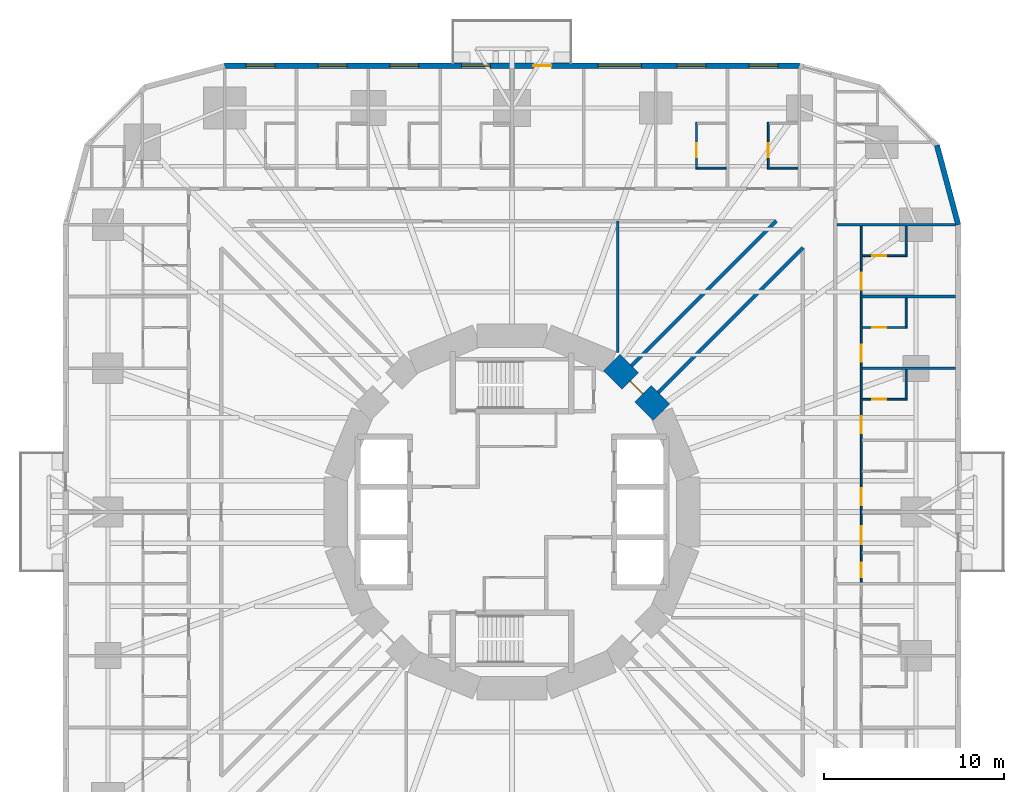
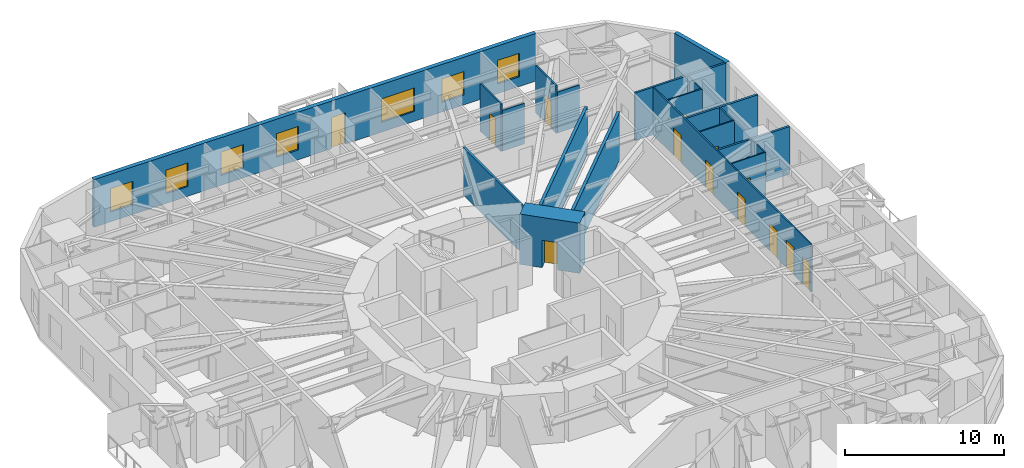
# One storey, part 11 of 14: 20 walls, 13 doors, 7 windows, 20 openings.
"""IFC4 building model written with IfcOpenShell, lengths in metres."""

from ifc_helpers import new_model, si_unit, direction, frame, frame_2d, origin, place, context, subcontext, project, spatial, rectangle, extrude, material, layer, layer_set, type_object, element, fill, save


model = new_model("IFC4")

# Units and contexts
model_context = context("Model", 3, precision=1e-05, world=origin(), true_north=direction((0.0, 1.0)))
body_context = subcontext(model_context, "Body", "Model", "MODEL_VIEW")
ifc_project = project(units=[si_unit("LENGTHUNIT", "METRE"), si_unit("AREAUNIT", "SQUARE_METRE"), si_unit("VOLUMEUNIT", "CUBIC_METRE"), si_unit("PLANEANGLEUNIT", "RADIAN"), si_unit("MASSUNIT", "GRAM", prefix="KILO")], contexts=[model_context])

# Site, building, storey
site_placement = place(None, origin())
site = spatial("IfcSite", under=ifc_project, at=site_placement, CompositionType="ELEMENT")
building_placement = place(site_placement, origin())
building = spatial("IfcBuilding", under=site, at=building_placement, Name="Nakasero Lantern House", CompositionType="ELEMENT")
storey_placement = place(building_placement, frame((0.0, 0.0, 46.800048828125)))
storey = spatial("IfcBuildingStorey", under=building, at=storey_placement, Name="L11", CompositionType="ELEMENT", Elevation=46.800048828125)

# Wall, openings, doors
ifc_material_1 = material(Name="Blockwork", Category="masonry")
ifc_layer_1 = layer(ifc_material_1, 0.10009765625)
ifc_layer_set_1 = layer_set([ifc_layer_1], Name="Cluster hall wall 100")
wall_type_1 = type_object("IfcWallType", Name="Cluster hall wall 100", PredefinedType="PARTITIONING", material=ifc_layer_set_1)
wall_1_placement = place(storey_placement, frame((19.449951171875, -3.925048828125, 0.0), z_axis=(0.0, 0.0, 1.0), x_axis=(0.0, 1.0, 0.0)))
wall_1 = element("IfcWall", 1, at=wall_1_placement, inside=storey, type_object=wall_type_1, Name="Cluster hall wall L11 HW0-1", PredefinedType="PARTITIONING", context=body_context, shape_type="SweptSolid", body=[
    extrude(rectangle(XDim=19.85009765625, YDim=0.10009765625, at=frame_2d((9.925048828125, 0.0))), origin(), (0.0, 0.0, 1.0), 3.64990234375),
])
opening_1_placement = place(wall_1_placement, frame((2.125, 0.0, 0.0)))
opening_1 = element("IfcOpeningElement", 2, at=opening_1_placement, cuts=wall_1, Name="Opening D03", PredefinedType="OPENING", context=body_context, shape_type="SweptSolid", body=[
    extrude(rectangle(XDim=1.0, YDim=2.10009765625, at=frame_2d((0.5, 1.050048828125))), frame((0.0, 0.070068359375, 0.0), z_axis=(0.0, -1.0, 0.0), x_axis=(1.0, 0.0, 0.0)), (0.0, 0.0, 1.0), 0.14013671875),
])
opening_2_placement = place(wall_1_placement, frame((0.300048828125, 0.0, 0.0)))
opening_2 = element("IfcOpeningElement", 3, at=opening_2_placement, cuts=wall_1, Name="Opening D02", PredefinedType="OPENING", context=body_context, shape_type="SweptSolid", body=[
    extrude(rectangle(XDim=0.800048828125, YDim=2.10009765625, at=frame_2d((0.39990234375, 1.050048828125))), frame((0.0, 0.070068359375, 0.0), z_axis=(0.0, -1.0, 0.0), x_axis=(1.0, 0.0, 0.0)), (0.0, 0.0, 1.0), 0.14013671875),
])
opening_3_placement = place(wall_1_placement, frame((4.300048828125, 0.0, 0.0)))
opening_3 = element("IfcOpeningElement", 4, at=opening_3_placement, cuts=wall_1, Name="Opening D01", PredefinedType="OPENING", context=body_context, shape_type="SweptSolid", body=[
    extrude(rectangle(XDim=0.949951171875, YDim=2.10009765625, at=frame_2d((0.47509765625, 1.050048828125))), frame((0.0, 0.070068359375, 0.0), z_axis=(0.0, -1.0, 0.0), x_axis=(1.0, 0.0, 0.0)), (0.0, 0.0, 1.0), 0.14013671875),
])
opening_4_placement = place(wall_1_placement, frame((8.300048828125, 0.0, 0.0)))
opening_4 = element("IfcOpeningElement", 5, at=opening_4_placement, cuts=wall_1, Name="Opening D01", PredefinedType="OPENING", context=body_context, shape_type="SweptSolid", body=[
    extrude(rectangle(XDim=0.949951171875, YDim=2.10009765625, at=frame_2d((0.47509765625, 1.050048828125))), frame((0.0, 0.070068359375, 0.0), z_axis=(0.0, -1.0, 0.0), x_axis=(1.0, 0.0, 0.0)), (0.0, 0.0, 1.0), 0.14013671875),
])
opening_5_placement = place(wall_1_placement, frame((12.300048828125, 0.0, 0.0)))
opening_5 = element("IfcOpeningElement", 6, at=opening_5_placement, cuts=wall_1, Name="Opening D01", PredefinedType="OPENING", context=body_context, shape_type="SweptSolid", body=[
    extrude(rectangle(XDim=0.949951171875, YDim=2.10009765625, at=frame_2d((0.47509765625, 1.050048828125))), frame((0.0, 0.070068359375, 0.0), z_axis=(0.0, -1.0, 0.0), x_axis=(1.0, 0.0, 0.0)), (0.0, 0.0, 1.0), 0.14013671875),
])
opening_6_placement = place(wall_1_placement, frame((16.300048828125, 0.0, 0.0)))
opening_6 = element("IfcOpeningElement", 7, at=opening_6_placement, cuts=wall_1, Name="Opening D01", PredefinedType="OPENING", context=body_context, shape_type="SweptSolid", body=[
    extrude(rectangle(XDim=0.949951171875, YDim=2.10009765625, at=frame_2d((0.47509765625, 1.050048828125))), frame((0.0, 0.070068359375, 0.0), z_axis=(0.0, -1.0, 0.0), x_axis=(1.0, 0.0, 0.0)), (0.0, 0.0, 1.0), 0.14013671875),
])
ifc_material_2 = material(Name="Timber C24", Category="wood")
door_type_1 = type_object("IfcDoorType", Name="Bedroom door FD30S 950", OperationType="SINGLE_SWING_LEFT", PredefinedType="DOOR", material=ifc_material_2)
door_1_placement = place(opening_3_placement, origin())
door_1 = element("IfcDoor", 8, at=door_1_placement, inside=storey, type_object=door_type_1, Name="Door L11 D0-05", OperationType="SINGLE_SWING_LEFT", OverallHeight=2.10009765625, OverallWidth=0.949951171875, PredefinedType="DOOR", context=body_context, shape_type="SweptSolid", body=[
    extrude(rectangle(XDim=0.949951171875, YDim=2.10009765625, at=frame_2d((0.47509765625, 1.050048828125))), frame((0.0, 0.02490234375, 0.0), z_axis=(0.0, -1.0, 0.0), x_axis=(1.0, 0.0, 0.0)), (0.0, 0.0, 1.0), 0.050048828125),
])
fill(opening_3, door_1)
door_2_placement = place(opening_4_placement, origin())
door_2 = element("IfcDoor", 9, at=door_2_placement, inside=storey, type_object=door_type_1, Name="Door L11 D0-06", OperationType="SINGLE_SWING_LEFT", OverallHeight=2.10009765625, OverallWidth=0.949951171875, PredefinedType="DOOR", context=body_context, shape_type="SweptSolid", body=[
    extrude(rectangle(XDim=0.949951171875, YDim=2.10009765625, at=frame_2d((0.47509765625, 1.050048828125))), frame((0.0, 0.02490234375, 0.0), z_axis=(0.0, -1.0, 0.0), x_axis=(1.0, 0.0, 0.0)), (0.0, 0.0, 1.0), 0.050048828125),
])
fill(opening_4, door_2)
door_3_placement = place(opening_5_placement, origin())
door_3 = element("IfcDoor", 10, at=door_3_placement, inside=storey, type_object=door_type_1, Name="Door L11 D0-07", OperationType="SINGLE_SWING_RIGHT", OverallHeight=2.10009765625, OverallWidth=0.949951171875, PredefinedType="DOOR", context=body_context, shape_type="SweptSolid", body=[
    extrude(rectangle(XDim=0.949951171875, YDim=2.10009765625, at=frame_2d((0.47509765625, 1.050048828125))), frame((0.0, 0.02490234375, 0.0), z_axis=(0.0, -1.0, 0.0), x_axis=(1.0, 0.0, 0.0)), (0.0, 0.0, 1.0), 0.050048828125),
])
fill(opening_5, door_3)
door_4_placement = place(opening_6_placement, origin())
door_4 = element("IfcDoor", 11, at=door_4_placement, inside=storey, type_object=door_type_1, Name="Door L11 D0-08", OperationType="SINGLE_SWING_RIGHT", OverallHeight=2.10009765625, OverallWidth=0.949951171875, PredefinedType="DOOR", context=body_context, shape_type="SweptSolid", body=[
    extrude(rectangle(XDim=0.949951171875, YDim=2.10009765625, at=frame_2d((0.47509765625, 1.050048828125))), frame((0.0, 0.02490234375, 0.0), z_axis=(0.0, -1.0, 0.0), x_axis=(1.0, 0.0, 0.0)), (0.0, 0.0, 1.0), 0.050048828125),
])
fill(opening_6, door_4)
ifc_material_3 = material(Name="Timber C24", Category="wood")
door_type_2 = type_object("IfcDoorType", Name="En-suite door 800", OperationType="SINGLE_SWING_RIGHT", PredefinedType="DOOR", material=ifc_material_3)
door_5_placement = place(opening_2_placement, origin())
door_5 = element("IfcDoor", 12, at=door_5_placement, inside=storey, type_object=door_type_2, Name="Door L11 DSH0-1", OperationType="SINGLE_SWING_LEFT", OverallHeight=2.10009765625, OverallWidth=0.800048828125, PredefinedType="DOOR", context=body_context, shape_type="SweptSolid", body=[
    extrude(rectangle(XDim=0.800048828125, YDim=2.10009765625, at=frame_2d((0.39990234375, 1.050048828125))), frame((0.0, 0.02490234375, 0.0), z_axis=(0.0, -1.0, 0.0), x_axis=(1.0, 0.0, 0.0)), (0.0, 0.0, 1.0), 0.050048828125),
])
fill(opening_2, door_5)
ifc_material_4 = material(Name="Timber C24", Category="wood")
door_type_3 = type_object("IfcDoorType", Name="Lounge door FD30S 1000", OperationType="SINGLE_SWING_LEFT", PredefinedType="DOOR", material=ifc_material_4)
door_6_placement = place(opening_1_placement, origin())
door_6 = element("IfcDoor", 13, at=door_6_placement, inside=storey, type_object=door_type_3, Name="Door L11 DH0-1", OperationType="SINGLE_SWING_LEFT", OverallHeight=2.10009765625, OverallWidth=1.0, PredefinedType="DOOR", context=body_context, shape_type="SweptSolid", body=[
    extrude(rectangle(XDim=1.0, YDim=2.10009765625, at=frame_2d((0.5, 1.050048828125))), frame((0.0, 0.02490234375, 0.0), z_axis=(0.0, -1.0, 0.0), x_axis=(1.0, 0.0, 0.0)), (0.0, 0.0, 1.0), 0.050048828125),
])
fill(opening_1, door_6)

# Wall, opening, door
ifc_material_5 = material(Name="Concrete C50/60", Category="concrete")
ifc_layer_2 = layer(ifc_material_5, 1.300048828125)
ifc_layer_set_2 = layer_set([ifc_layer_2], Name="Core wall 1300")
wall_type_2 = type_object("IfcWallType", Name="Core wall 1300", PredefinedType="SHEAR", material=ifc_layer_set_2)
wall_2_placement = place(storey_placement, frame((8.314697265625, 5.5556640625, 0.0), z_axis=(0.0, 0.0, 1.0), x_axis=(-0.707106781187, 0.707106781187, 0.0)))
wall_2 = element("IfcWall", 14, at=wall_2_placement, inside=storey, type_object=wall_type_2, Name="Core wall L11 facet 2", PredefinedType="SHEAR", context=body_context, shape_type="SweptSolid", body=[
    extrude(rectangle(XDim=3.90185546875, YDim=1.300048828125, at=frame_2d((1.950927734375, 0.0))), origin(), (0.0, 0.0, 1.0), 3.849853515625),
])
opening_7_placement = place(wall_2_placement, frame((1.450927734375, 0.0, 0.0)))
opening_7 = element("IfcOpeningElement", 15, at=opening_7_placement, cuts=wall_2, Name="Opening D05", PredefinedType="OPENING", context=body_context, shape_type="SweptSolid", body=[
    extrude(rectangle(XDim=1.0, YDim=2.10009765625, at=frame_2d((0.5, 1.050048828125))), frame((0.0, 0.669921875, 0.0), z_axis=(0.0, -1.0, 0.0), x_axis=(1.0, 0.0, 0.0)), (0.0, 0.0, 1.0), 1.340087890625),
])
ifc_material_6 = material(Name="Timber C24", Category="wood")
door_type_4 = type_object("IfcDoorType", Name="Core door FD60S 1000", OperationType="SINGLE_SWING_LEFT", PredefinedType="DOOR", material=ifc_material_6)
door_7_placement = place(opening_7_placement, origin())
door_7 = element("IfcDoor", 16, at=door_7_placement, inside=storey, type_object=door_type_4, Name="Door L11 D-CORE02", OperationType="SINGLE_SWING_LEFT", OverallHeight=2.10009765625, OverallWidth=1.0, PredefinedType="DOOR", context=body_context, shape_type="SweptSolid", body=[
    extrude(rectangle(XDim=1.0, YDim=2.10009765625, at=frame_2d((0.5, 1.050048828125))), frame((0.0, 0.02490234375, 0.0), z_axis=(0.0, -1.0, 0.0), x_axis=(1.0, 0.0, 0.0)), (0.0, 0.0, 1.0), 0.050048828125),
])
fill(opening_7, door_7)

# Walls
ifc_material_7 = material(Name="Blockwork", Category="masonry")
ifc_layer_3 = layer(ifc_material_7, 0.199951171875)
ifc_layer_set_3 = layer_set([ifc_layer_3], Name="Corridor wall 200")
wall_type_3 = type_object("IfcWallType", Name="Corridor wall 200", PredefinedType="PARTITIONING", material=ifc_layer_set_3)
for number, where, z_axis, x_axis, name in (
    (17, (6.65234375, 8.13720703125, 0.0), (0.0, 0.0, 1.0), (0.707106781187, 0.707106781187, 0.0), "Corridor wall L11 PS02a"),
    (18, (8.13720703125, 6.65234375, 0.0), (0.0, 0.0, 1.0), (0.707106781187, 0.707106781187, 0.0), "Corridor wall L11 PS02b"),
):
    element("IfcWall", number, at=place(storey_placement, frame(where, z_axis=z_axis, x_axis=x_axis)), inside=storey, type_object=wall_type_3, Name=name, PredefinedType="PARTITIONING", context=body_context, shape_type="SweptSolid", body=[
        extrude(rectangle(XDim=11.40234375, YDim=0.199951171875, at=frame_2d((5.701171875, 0.0))), origin(), (0.0, 0.0, 1.0), 3.64990234375),
    ])

# Wall, opening, door
ifc_material_8 = material(Name="Blockwork", Category="masonry")
ifc_layer_4 = layer(ifc_material_8, 0.10009765625)
ifc_layer_set_4 = layer_set([ifc_layer_4], Name="En-suite wall 100")
wall_type_4 = type_object("IfcWallType", Name="En-suite wall 100", PredefinedType="PARTITIONING", material=ifc_layer_set_4)
wall_3_placement = place(storey_placement, frame((19.5, 6.27490234375, 0.0), z_axis=(0.0, 0.0, 1.0), x_axis=(1.0, 0.0, 0.0)))
wall_3 = element("IfcWall", 19, at=wall_3_placement, inside=storey, type_object=wall_type_4, Name="En-suite wall L11 ES0-06", PredefinedType="PARTITIONING", context=body_context, shape_type="SweptSolid", body=[
    extrude(rectangle(XDim=2.5, YDim=0.10009765625, at=frame_2d((1.25, 0.0))), origin(), (0.0, 0.0, 1.0), 3.64990234375),
])
opening_8_placement = place(wall_3_placement, frame((0.550048828125, 0.0, 0.0)))
opening_8 = element("IfcOpeningElement", 20, at=opening_8_placement, cuts=wall_3, Name="Opening D02", PredefinedType="OPENING", context=body_context, shape_type="SweptSolid", body=[
    extrude(rectangle(XDim=0.800048828125, YDim=2.10009765625, at=frame_2d((0.39990234375, 1.050048828125))), frame((0.0, 0.070068359375, 0.0), z_axis=(0.0, -1.0, 0.0), x_axis=(1.0, 0.0, 0.0)), (0.0, 0.0, 1.0), 0.14013671875),
])
door_8_placement = place(opening_8_placement, origin())
door_8 = element("IfcDoor", 21, at=door_8_placement, inside=storey, type_object=door_type_2, Name="Door L11 DE0-06", OperationType="SINGLE_SWING_LEFT", OverallHeight=2.10009765625, OverallWidth=0.800048828125, PredefinedType="DOOR", context=body_context, shape_type="SweptSolid", body=[
    extrude(rectangle(XDim=0.800048828125, YDim=2.10009765625, at=frame_2d((0.39990234375, 1.050048828125))), frame((0.0, 0.02490234375, 0.0), z_axis=(0.0, -1.0, 0.0), x_axis=(1.0, 0.0, 0.0)), (0.0, 0.0, 1.0), 0.050048828125),
])
fill(opening_8, door_8)

# Wall
wall_4_placement = place(storey_placement, frame((21.949951171875, 6.324951171875, 0.0), z_axis=(0.0, 0.0, 1.0), x_axis=(0.0, 1.0, 0.0)))
element("IfcWall", 22, at=wall_4_placement, inside=storey, type_object=wall_type_4, Name="En-suite wall L11 EE0-06", PredefinedType="PARTITIONING", context=body_context, shape_type="SweptSolid", body=[
    extrude(rectangle(XDim=1.60009765625, YDim=0.10009765625, at=frame_2d((0.800048828125, 0.0))), origin(), (0.0, 0.0, 1.0), 3.64990234375),
])

# Wall, opening, door
wall_5_placement = place(storey_placement, frame((19.5, 10.27490234375, 0.0), z_axis=(0.0, 0.0, 1.0), x_axis=(1.0, 0.0, 0.0)))
wall_5 = element("IfcWall", 23, at=wall_5_placement, inside=storey, type_object=wall_type_4, Name="En-suite wall L11 ES0-07", PredefinedType="PARTITIONING", context=body_context, shape_type="SweptSolid", body=[
    extrude(rectangle(XDim=2.5, YDim=0.10009765625, at=frame_2d((1.25, 0.0))), origin(), (0.0, 0.0, 1.0), 3.64990234375),
])
opening_9_placement = place(wall_5_placement, frame((0.550048828125, 0.0, 0.0)))
opening_9 = element("IfcOpeningElement", 24, at=opening_9_placement, cuts=wall_5, Name="Opening D02", PredefinedType="OPENING", context=body_context, shape_type="SweptSolid", body=[
    extrude(rectangle(XDim=0.800048828125, YDim=2.10009765625, at=frame_2d((0.39990234375, 1.050048828125))), frame((0.0, 0.070068359375, 0.0), z_axis=(0.0, -1.0, 0.0), x_axis=(1.0, 0.0, 0.0)), (0.0, 0.0, 1.0), 0.14013671875),
])
door_9_placement = place(opening_9_placement, origin())
door_9 = element("IfcDoor", 25, at=door_9_placement, inside=storey, type_object=door_type_2, Name="Door L11 DE0-07", OperationType="SINGLE_SWING_LEFT", OverallHeight=2.10009765625, OverallWidth=0.800048828125, PredefinedType="DOOR", context=body_context, shape_type="SweptSolid", body=[
    extrude(rectangle(XDim=0.800048828125, YDim=2.10009765625, at=frame_2d((0.39990234375, 1.050048828125))), frame((0.0, 0.02490234375, 0.0), z_axis=(0.0, -1.0, 0.0), x_axis=(1.0, 0.0, 0.0)), (0.0, 0.0, 1.0), 0.050048828125),
])
fill(opening_9, door_9)

# Wall
wall_6_placement = place(storey_placement, frame((21.949951171875, 10.324951171875, 0.0), z_axis=(0.0, 0.0, 1.0), x_axis=(0.0, 1.0, 0.0)))
element("IfcWall", 26, at=wall_6_placement, inside=storey, type_object=wall_type_4, Name="En-suite wall L11 EE0-07", PredefinedType="PARTITIONING", context=body_context, shape_type="SweptSolid", body=[
    extrude(rectangle(XDim=1.60009765625, YDim=0.10009765625, at=frame_2d((0.800048828125, 0.0))), origin(), (0.0, 0.0, 1.0), 3.64990234375),
])

# Wall, opening, door
wall_7_placement = place(storey_placement, frame((19.5, 14.27490234375, 0.0), z_axis=(0.0, 0.0, 1.0), x_axis=(1.0, 0.0, 0.0)))
wall_7 = element("IfcWall", 27, at=wall_7_placement, inside=storey, type_object=wall_type_4, Name="En-suite wall L11 ES0-08", PredefinedType="PARTITIONING", context=body_context, shape_type="SweptSolid", body=[
    extrude(rectangle(XDim=2.5, YDim=0.10009765625, at=frame_2d((1.25, 0.0))), origin(), (0.0, 0.0, 1.0), 3.64990234375),
])
opening_10_placement = place(wall_7_placement, frame((0.550048828125, 0.0, 0.0)))
opening_10 = element("IfcOpeningElement", 28, at=opening_10_placement, cuts=wall_7, Name="Opening D02", PredefinedType="OPENING", context=body_context, shape_type="SweptSolid", body=[
    extrude(rectangle(XDim=0.800048828125, YDim=2.10009765625, at=frame_2d((0.39990234375, 1.050048828125))), frame((0.0, 0.070068359375, 0.0), z_axis=(0.0, -1.0, 0.0), x_axis=(1.0, 0.0, 0.0)), (0.0, 0.0, 1.0), 0.14013671875),
])
door_10_placement = place(opening_10_placement, origin())
door_10 = element("IfcDoor", 29, at=door_10_placement, inside=storey, type_object=door_type_2, Name="Door L11 DE0-08", OperationType="SINGLE_SWING_LEFT", OverallHeight=2.10009765625, OverallWidth=0.800048828125, PredefinedType="DOOR", context=body_context, shape_type="SweptSolid", body=[
    extrude(rectangle(XDim=0.800048828125, YDim=2.10009765625, at=frame_2d((0.39990234375, 1.050048828125))), frame((0.0, 0.02490234375, 0.0), z_axis=(0.0, -1.0, 0.0), x_axis=(1.0, 0.0, 0.0)), (0.0, 0.0, 1.0), 0.050048828125),
])
fill(opening_10, door_10)

# Wall
wall_8_placement = place(storey_placement, frame((21.949951171875, 14.324951171875, 0.0), z_axis=(0.0, 0.0, 1.0), x_axis=(0.0, 1.0, 0.0)))
element("IfcWall", 30, at=wall_8_placement, inside=storey, type_object=wall_type_4, Name="En-suite wall L11 EE0-08", PredefinedType="PARTITIONING", context=body_context, shape_type="SweptSolid", body=[
    extrude(rectangle(XDim=1.60009765625, YDim=0.10009765625, at=frame_2d((0.800048828125, 0.0))), origin(), (0.0, 0.0, 1.0), 3.64990234375),
])

# Wall, opening, door
wall_9_placement = place(storey_placement, frame((14.27490234375, 19.10009765625, 0.0), z_axis=(0.0, 0.0, 1.0), x_axis=(0.0, 1.0, 0.0)))
wall_9 = element("IfcWall", 31, at=wall_9_placement, inside=storey, type_object=wall_type_4, Name="En-suite wall L11 ES1-01", PredefinedType="PARTITIONING", context=body_context, shape_type="SweptSolid", body=[
    extrude(rectangle(XDim=2.599853515625, YDim=0.10009765625, at=frame_2d((1.2998046875, 0.0))), origin(), (0.0, 0.0, 1.0), 3.64990234375),
])
opening_11_placement = place(wall_9_placement, frame((0.64990234375, 0.0, 0.0)))
opening_11 = element("IfcOpeningElement", 32, at=opening_11_placement, cuts=wall_9, Name="Opening D02", PredefinedType="OPENING", context=body_context, shape_type="SweptSolid", body=[
    extrude(rectangle(XDim=0.800048828125, YDim=2.10009765625, at=frame_2d((0.39990234375, 1.050048828125))), frame((0.0, 0.070068359375, 0.0), z_axis=(0.0, -1.0, 0.0), x_axis=(1.0, 0.0, 0.0)), (0.0, 0.0, 1.0), 0.14013671875),
])
door_11_placement = place(opening_11_placement, origin())
door_11 = element("IfcDoor", 33, at=door_11_placement, inside=storey, type_object=door_type_2, Name="Door L11 DE1-01", OperationType="SINGLE_SWING_LEFT", OverallHeight=2.10009765625, OverallWidth=0.800048828125, PredefinedType="DOOR", context=body_context, shape_type="SweptSolid", body=[
    extrude(rectangle(XDim=0.800048828125, YDim=2.10009765625, at=frame_2d((0.39990234375, 1.050048828125))), frame((0.0, 0.02490234375, 0.0), z_axis=(0.0, -1.0, 0.0), x_axis=(1.0, 0.0, 0.0)), (0.0, 0.0, 1.0), 0.050048828125),
])
fill(opening_11, door_11)

# Wall
wall_10_placement = place(storey_placement, frame((15.925048828125, 19.14990234375, 0.0), z_axis=(0.0, 0.0, 1.0), x_axis=(-1.0, 0.0, 0.0)))
element("IfcWall", 34, at=wall_10_placement, inside=storey, type_object=wall_type_4, Name="En-suite wall L11 EI1-01", PredefinedType="PARTITIONING", context=body_context, shape_type="SweptSolid", body=[
    extrude(rectangle(XDim=1.60009765625, YDim=0.10009765625, at=frame_2d((0.800048828125, 0.0))), origin(), (0.0, 0.0, 1.0), 3.12158203125),
])

# Wall, opening, door
wall_11_placement = place(storey_placement, frame((10.27490234375, 19.10009765625, 0.0), z_axis=(0.0, 0.0, 1.0), x_axis=(0.0, 1.0, 0.0)))
wall_11 = element("IfcWall", 35, at=wall_11_placement, inside=storey, type_object=wall_type_4, Name="En-suite wall L11 ES1-02", PredefinedType="PARTITIONING", context=body_context, shape_type="SweptSolid", body=[
    extrude(rectangle(XDim=2.599853515625, YDim=0.10009765625, at=frame_2d((1.2998046875, 0.0))), origin(), (0.0, 0.0, 1.0), 3.64990234375),
])
opening_12_placement = place(wall_11_placement, frame((0.64990234375, 0.0, 0.0)))
opening_12 = element("IfcOpeningElement", 36, at=opening_12_placement, cuts=wall_11, Name="Opening D02", PredefinedType="OPENING", context=body_context, shape_type="SweptSolid", body=[
    extrude(rectangle(XDim=0.800048828125, YDim=2.10009765625, at=frame_2d((0.39990234375, 1.050048828125))), frame((0.0, 0.070068359375, 0.0), z_axis=(0.0, -1.0, 0.0), x_axis=(1.0, 0.0, 0.0)), (0.0, 0.0, 1.0), 0.14013671875),
])
door_12_placement = place(opening_12_placement, origin())
door_12 = element("IfcDoor", 37, at=door_12_placement, inside=storey, type_object=door_type_2, Name="Door L11 DE1-02", OperationType="SINGLE_SWING_LEFT", OverallHeight=2.10009765625, OverallWidth=0.800048828125, PredefinedType="DOOR", context=body_context, shape_type="SweptSolid", body=[
    extrude(rectangle(XDim=0.800048828125, YDim=2.10009765625, at=frame_2d((0.39990234375, 1.050048828125))), frame((0.0, 0.02490234375, 0.0), z_axis=(0.0, -1.0, 0.0), x_axis=(1.0, 0.0, 0.0)), (0.0, 0.0, 1.0), 0.050048828125),
])
fill(opening_12, door_12)

# Walls
wall_12_placement = place(storey_placement, frame((11.925048828125, 19.14990234375, 0.0), z_axis=(0.0, 0.0, 1.0), x_axis=(-1.0, 0.0, 0.0)))
element("IfcWall", 38, at=wall_12_placement, inside=storey, type_object=wall_type_4, Name="En-suite wall L11 EI1-02", PredefinedType="PARTITIONING", context=body_context, shape_type="SweptSolid", body=[
    extrude(rectangle(XDim=1.60009765625, YDim=0.10009765625, at=frame_2d((0.800048828125, 0.0))), origin(), (0.0, 0.0, 1.0), 3.12158203125),
])
ifc_material_9 = material(Name="Aluminium rainscreen on blockwork", Category="masonry")
ifc_layer_5 = layer(ifc_material_9, 0.300048828125)
ifc_layer_set_5 = layer_set([ifc_layer_5], Name="Facade wall 300")
wall_type_5 = type_object("IfcWallType", Name="Facade wall 300", PredefinedType="SOLIDWALL", material=ifc_layer_set_5)
wall_13_placement = place(storey_placement, frame((24.85009765625, 16.0, 0.0), z_axis=(0.0, 0.0, 1.0), x_axis=(-0.258839972501, 0.965920218567, 0.0)))
element("IfcWall", 39, at=wall_13_placement, inside=storey, type_object=wall_type_5, Name="Facade wall L11 FW0C1", PredefinedType="SOLIDWALL", context=body_context, shape_type="SweptSolid", body=[
    extrude(rectangle(XDim=4.5810546875, YDim=0.300048828125, at=frame_2d((2.29052734375, 0.0))), origin(), (0.0, 0.0, 1.0), 3.64990234375),
])

# Wall, openings, door, windows
wall_14_placement = place(storey_placement, frame((16.0, 24.85009765625, 0.0), z_axis=(0.0, 0.0, 1.0), x_axis=(-1.0, 0.0, 0.0)))
wall_14 = element("IfcWall", 40, at=wall_14_placement, inside=storey, type_object=wall_type_5, Name="Facade wall L11 FW1S", PredefinedType="SOLIDWALL", context=body_context, shape_type="SweptSolid", body=[
    extrude(rectangle(XDim=32.0, YDim=0.300048828125, at=frame_2d((16.0, 0.0))), origin(), (0.0, 0.0, 1.0), 3.64990234375),
])
opening_13_placement = place(wall_14_placement, frame((1.199951171875, 0.0, 0.75)))
opening_13 = element("IfcOpeningElement", 41, at=opening_13_placement, cuts=wall_14, Name="Opening W01", PredefinedType="OPENING", context=body_context, shape_type="SweptSolid", body=[
    extrude(rectangle(XDim=1.60009765625, YDim=1.800048828125, at=frame_2d((0.800048828125, 0.89990234375))), frame((0.0, 0.169921875, 0.0), z_axis=(0.0, -1.0, 0.0), x_axis=(1.0, 0.0, 0.0)), (0.0, 0.0, 1.0), 0.340087890625),
])
opening_14_placement = place(wall_14_placement, frame((5.199951171875, 0.0, 0.75)))
opening_14 = element("IfcOpeningElement", 42, at=opening_14_placement, cuts=wall_14, Name="Opening W01", PredefinedType="OPENING", context=body_context, shape_type="SweptSolid", body=[
    extrude(rectangle(XDim=1.60009765625, YDim=1.800048828125, at=frame_2d((0.800048828125, 0.89990234375))), frame((0.0, 0.169921875, 0.0), z_axis=(0.0, -1.0, 0.0), x_axis=(1.0, 0.0, 0.0)), (0.0, 0.0, 1.0), 0.340087890625),
])
opening_15_placement = place(wall_14_placement, frame((17.199951171875, 0.0, 0.75)))
opening_15 = element("IfcOpeningElement", 43, at=opening_15_placement, cuts=wall_14, Name="Opening W01", PredefinedType="OPENING", context=body_context, shape_type="SweptSolid", body=[
    extrude(rectangle(XDim=1.60009765625, YDim=1.800048828125, at=frame_2d((0.800048828125, 0.89990234375))), frame((0.0, 0.169921875, 0.0), z_axis=(0.0, -1.0, 0.0), x_axis=(1.0, 0.0, 0.0)), (0.0, 0.0, 1.0), 0.340087890625),
])
opening_16_placement = place(wall_14_placement, frame((21.199951171875, 0.0, 0.75)))
opening_16 = element("IfcOpeningElement", 44, at=opening_16_placement, cuts=wall_14, Name="Opening W01", PredefinedType="OPENING", context=body_context, shape_type="SweptSolid", body=[
    extrude(rectangle(XDim=1.60009765625, YDim=1.800048828125, at=frame_2d((0.800048828125, 0.89990234375))), frame((0.0, 0.169921875, 0.0), z_axis=(0.0, -1.0, 0.0), x_axis=(1.0, 0.0, 0.0)), (0.0, 0.0, 1.0), 0.340087890625),
])
opening_17_placement = place(wall_14_placement, frame((25.199951171875, 0.0, 0.75)))
opening_17 = element("IfcOpeningElement", 45, at=opening_17_placement, cuts=wall_14, Name="Opening W01", PredefinedType="OPENING", context=body_context, shape_type="SweptSolid", body=[
    extrude(rectangle(XDim=1.60009765625, YDim=1.800048828125, at=frame_2d((0.800048828125, 0.89990234375))), frame((0.0, 0.169921875, 0.0), z_axis=(0.0, -1.0, 0.0), x_axis=(1.0, 0.0, 0.0)), (0.0, 0.0, 1.0), 0.340087890625),
])
opening_18_placement = place(wall_14_placement, frame((29.199951171875, 0.0, 0.75)))
opening_18 = element("IfcOpeningElement", 46, at=opening_18_placement, cuts=wall_14, Name="Opening W01", PredefinedType="OPENING", context=body_context, shape_type="SweptSolid", body=[
    extrude(rectangle(XDim=1.60009765625, YDim=1.800048828125, at=frame_2d((0.800048828125, 0.89990234375))), frame((0.0, 0.169921875, 0.0), z_axis=(0.0, -1.0, 0.0), x_axis=(1.0, 0.0, 0.0)), (0.0, 0.0, 1.0), 0.340087890625),
])
opening_19_placement = place(wall_14_placement, frame((8.800048828125, 0.0, 0.75)))
opening_19 = element("IfcOpeningElement", 47, at=opening_19_placement, cuts=wall_14, Name="Opening W03", PredefinedType="OPENING", context=body_context, shape_type="SweptSolid", body=[
    extrude(rectangle(XDim=2.39990234375, YDim=1.800048828125, at=frame_2d((1.199951171875, 0.89990234375))), frame((0.0, 0.169921875, 0.0), z_axis=(0.0, -1.0, 0.0), x_axis=(1.0, 0.0, 0.0)), (0.0, 0.0, 1.0), 0.340087890625),
])
opening_20_placement = place(wall_14_placement, frame((13.8125, 0.0, 0.0)))
opening_20 = element("IfcOpeningElement", 48, at=opening_20_placement, cuts=wall_14, Name="Opening D04", PredefinedType="OPENING", context=body_context, shape_type="SweptSolid", body=[
    extrude(rectangle(XDim=1.0, YDim=2.39990234375, at=frame_2d((0.5, 1.199951171875))), frame((0.0, 0.169921875, 0.0), z_axis=(0.0, -1.0, 0.0), x_axis=(1.0, 0.0, 0.0)), (0.0, 0.0, 1.0), 0.340087890625),
])
ifc_material_10 = material(Name="Aluminium 6063-T6 and glass", Category="aluminium")
door_type_5 = type_object("IfcDoorType", Name="Balcony door 1000x2400", OperationType="SINGLE_SWING_RIGHT", PredefinedType="DOOR", material=ifc_material_10)
door_13_placement = place(opening_20_placement, origin())
door_13 = element("IfcDoor", 49, at=door_13_placement, inside=storey, type_object=door_type_5, Name="Balcony door L11 DB1", OperationType="SINGLE_SWING_RIGHT", OverallHeight=2.39990234375, OverallWidth=1.0, PredefinedType="DOOR", context=body_context, shape_type="SweptSolid", body=[
    extrude(rectangle(XDim=1.0, YDim=2.39990234375, at=frame_2d((0.5, 1.199951171875))), frame((0.0, 0.02490234375, 0.0), z_axis=(0.0, -1.0, 0.0), x_axis=(1.0, 0.0, 0.0)), (0.0, 0.0, 1.0), 0.050048828125),
])
fill(opening_20, door_13)
ifc_material_11 = material(Name="Aluminium 6063-T6 and glass", Category="aluminium")
window_type_1 = type_object("IfcWindowType", Name="Bedroom window 1600x1800", PartitioningType="SINGLE_PANEL", PredefinedType="WINDOW", material=ifc_material_11)
window_1_placement = place(opening_13_placement, origin())
window_1 = element("IfcWindow", 50, at=window_1_placement, inside=storey, type_object=window_type_1, Name="Window L11 WN1-01", OverallHeight=1.800048828125, OverallWidth=1.60009765625, PartitioningType="SINGLE_PANEL", PredefinedType="WINDOW", context=body_context, shape_type="SweptSolid", body=[
    extrude(rectangle(XDim=1.60009765625, YDim=1.800048828125, at=frame_2d((0.800048828125, 0.89990234375))), frame((0.0, 0.030029296875, 0.0), z_axis=(0.0, -1.0, 0.0), x_axis=(1.0, 0.0, 0.0)), (0.0, 0.0, 1.0), 0.06005859375),
])
fill(opening_13, window_1)
window_2_placement = place(opening_14_placement, origin())
window_2 = element("IfcWindow", 51, at=window_2_placement, inside=storey, type_object=window_type_1, Name="Window L11 WN1-02", OverallHeight=1.800048828125, OverallWidth=1.60009765625, PartitioningType="SINGLE_PANEL", PredefinedType="WINDOW", context=body_context, shape_type="SweptSolid", body=[
    extrude(rectangle(XDim=1.60009765625, YDim=1.800048828125, at=frame_2d((0.800048828125, 0.89990234375))), frame((0.0, 0.030029296875, 0.0), z_axis=(0.0, -1.0, 0.0), x_axis=(1.0, 0.0, 0.0)), (0.0, 0.0, 1.0), 0.06005859375),
])
fill(opening_14, window_2)
window_3_placement = place(opening_15_placement, origin())
window_3 = element("IfcWindow", 52, at=window_3_placement, inside=storey, type_object=window_type_1, Name="Window L11 WN1-05", OverallHeight=1.800048828125, OverallWidth=1.60009765625, PartitioningType="SINGLE_PANEL", PredefinedType="WINDOW", context=body_context, shape_type="SweptSolid", body=[
    extrude(rectangle(XDim=1.60009765625, YDim=1.800048828125, at=frame_2d((0.800048828125, 0.89990234375))), frame((0.0, 0.030029296875, 0.0), z_axis=(0.0, -1.0, 0.0), x_axis=(1.0, 0.0, 0.0)), (0.0, 0.0, 1.0), 0.06005859375),
])
fill(opening_15, window_3)
window_4_placement = place(opening_16_placement, origin())
window_4 = element("IfcWindow", 53, at=window_4_placement, inside=storey, type_object=window_type_1, Name="Window L11 WN1-06", OverallHeight=1.800048828125, OverallWidth=1.60009765625, PartitioningType="SINGLE_PANEL", PredefinedType="WINDOW", context=body_context, shape_type="SweptSolid", body=[
    extrude(rectangle(XDim=1.60009765625, YDim=1.800048828125, at=frame_2d((0.800048828125, 0.89990234375))), frame((0.0, 0.030029296875, 0.0), z_axis=(0.0, -1.0, 0.0), x_axis=(1.0, 0.0, 0.0)), (0.0, 0.0, 1.0), 0.06005859375),
])
fill(opening_16, window_4)
window_5_placement = place(opening_17_placement, origin())
window_5 = element("IfcWindow", 54, at=window_5_placement, inside=storey, type_object=window_type_1, Name="Window L11 WN1-07", OverallHeight=1.800048828125, OverallWidth=1.60009765625, PartitioningType="SINGLE_PANEL", PredefinedType="WINDOW", context=body_context, shape_type="SweptSolid", body=[
    extrude(rectangle(XDim=1.60009765625, YDim=1.800048828125, at=frame_2d((0.800048828125, 0.89990234375))), frame((0.0, 0.030029296875, 0.0), z_axis=(0.0, -1.0, 0.0), x_axis=(1.0, 0.0, 0.0)), (0.0, 0.0, 1.0), 0.06005859375),
])
fill(opening_17, window_5)
window_6_placement = place(opening_18_placement, origin())
window_6 = element("IfcWindow", 55, at=window_6_placement, inside=storey, type_object=window_type_1, Name="Window L11 WN1-08", OverallHeight=1.800048828125, OverallWidth=1.60009765625, PartitioningType="SINGLE_PANEL", PredefinedType="WINDOW", context=body_context, shape_type="SweptSolid", body=[
    extrude(rectangle(XDim=1.60009765625, YDim=1.800048828125, at=frame_2d((0.800048828125, 0.89990234375))), frame((0.0, 0.030029296875, 0.0), z_axis=(0.0, -1.0, 0.0), x_axis=(1.0, 0.0, 0.0)), (0.0, 0.0, 1.0), 0.06005859375),
])
fill(opening_18, window_6)
ifc_material_12 = material(Name="Aluminium 6063-T6 and glass", Category="aluminium")
window_type_2 = type_object("IfcWindowType", Name="Lounge window 2400x1800", PartitioningType="SINGLE_PANEL", PredefinedType="WINDOW", material=ifc_material_12)
window_7_placement = place(opening_19_placement, origin())
window_7 = element("IfcWindow", 56, at=window_7_placement, inside=storey, type_object=window_type_2, Name="Window L11 WK1", OverallHeight=1.800048828125, OverallWidth=2.39990234375, PartitioningType="SINGLE_PANEL", PredefinedType="WINDOW", context=body_context, shape_type="SweptSolid", body=[
    extrude(rectangle(XDim=2.39990234375, YDim=1.800048828125, at=frame_2d((1.199951171875, 0.89990234375))), frame((0.0, 0.030029296875, 0.0), z_axis=(0.0, -1.0, 0.0), x_axis=(1.0, 0.0, 0.0)), (0.0, 0.0, 1.0), 0.06005859375),
])
fill(opening_19, window_7)

# Walls
ifc_material_13 = material(Name="Blockwork", Category="masonry")
ifc_layer_6 = layer(ifc_material_13, 0.14990234375)
ifc_layer_set_6 = layer_set([ifc_layer_6], Name="Party wall 150")
wall_type_6 = type_object("IfcWallType", Name="Party wall 150", PredefinedType="PARTITIONING", material=ifc_layer_set_6)
for number, where, z_axis, x_axis, name in (
    (57, (19.5, 8.0, 0.0), (0.0, 0.0, 1.0), (1.0, 0.0, 0.0), "Party wall L11 PW0-07"),
    (58, (19.5, 12.0, 0.0), (0.0, 0.0, 1.0), (1.0, 0.0, 0.0), "Party wall L11 PW0-08"),
):
    element("IfcWall", number, at=place(storey_placement, frame(where, z_axis=z_axis, x_axis=x_axis)), inside=storey, type_object=wall_type_6, Name=name, PredefinedType="PARTITIONING", context=body_context, shape_type="SweptSolid", body=[
        extrude(rectangle(XDim=5.199951171875, YDim=0.14990234375, at=frame_2d((2.60009765625, 0.0))), origin(), (0.0, 0.0, 1.0), 3.64990234375),
    ])
wall_15_placement = place(storey_placement, frame((18.10009765625, 16.0, 0.0), z_axis=(0.0, 0.0, 1.0), x_axis=(1.0, 0.0, 0.0)))
element("IfcWall", 59, at=wall_15_placement, inside=storey, type_object=wall_type_6, Name="Party wall L11 PW0-09", PredefinedType="PARTITIONING", context=body_context, shape_type="SweptSolid", body=[
    extrude(rectangle(XDim=6.58935546875, YDim=0.14990234375, at=frame_2d((3.294677734375, 0.0))), origin(), (0.0, 0.0, 1.0), 3.64990234375),
])
wall_16_placement = place(storey_placement, frame((5.885986328125, 8.88134765625, 0.0), z_axis=(0.0, 0.0, 1.0), x_axis=(0.0, 1.0, 0.0)))
element("IfcWall", 60, at=wall_16_placement, inside=storey, type_object=wall_type_6, Name="Party wall L11 IS2", PredefinedType="PARTITIONING", context=body_context, shape_type="SweptSolid", body=[
    extrude(rectangle(XDim=7.318603515625, YDim=0.14990234375, at=frame_2d((3.6591796875, 0.0))), origin(), (0.0, 0.0, 1.0), 3.64990234375),
])

save(model, "model.ifc")
